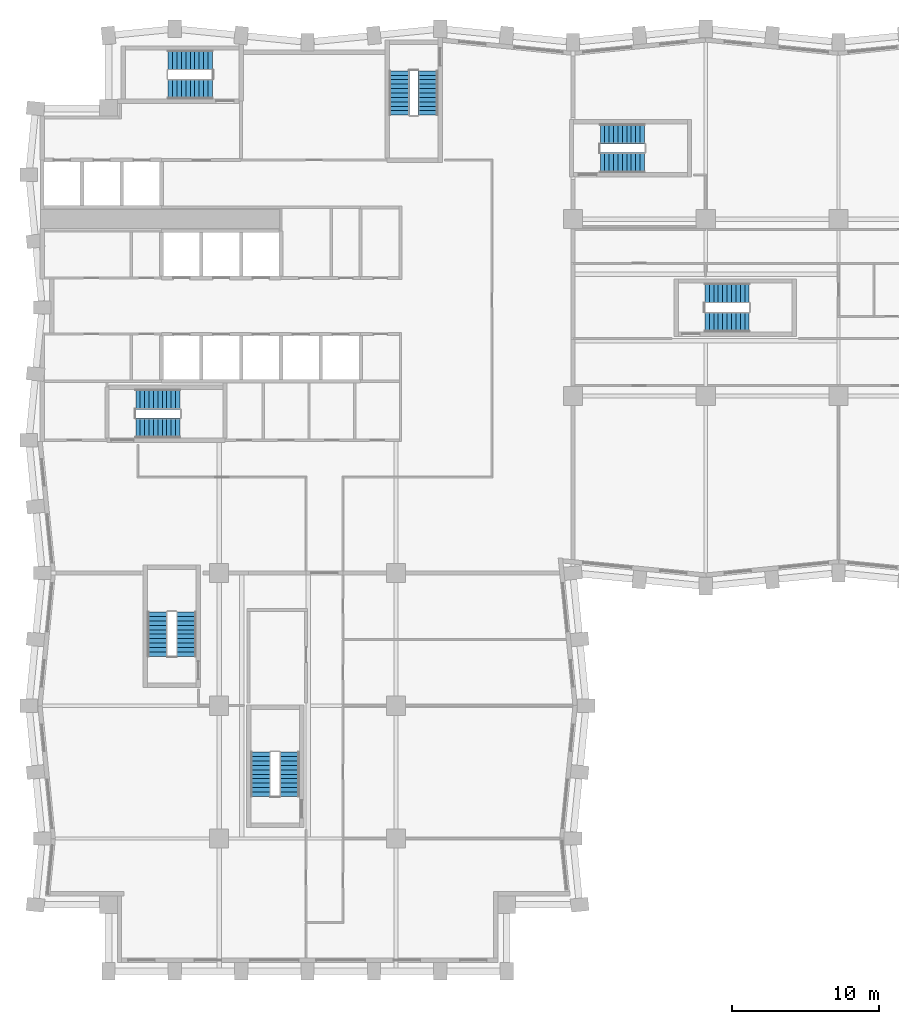
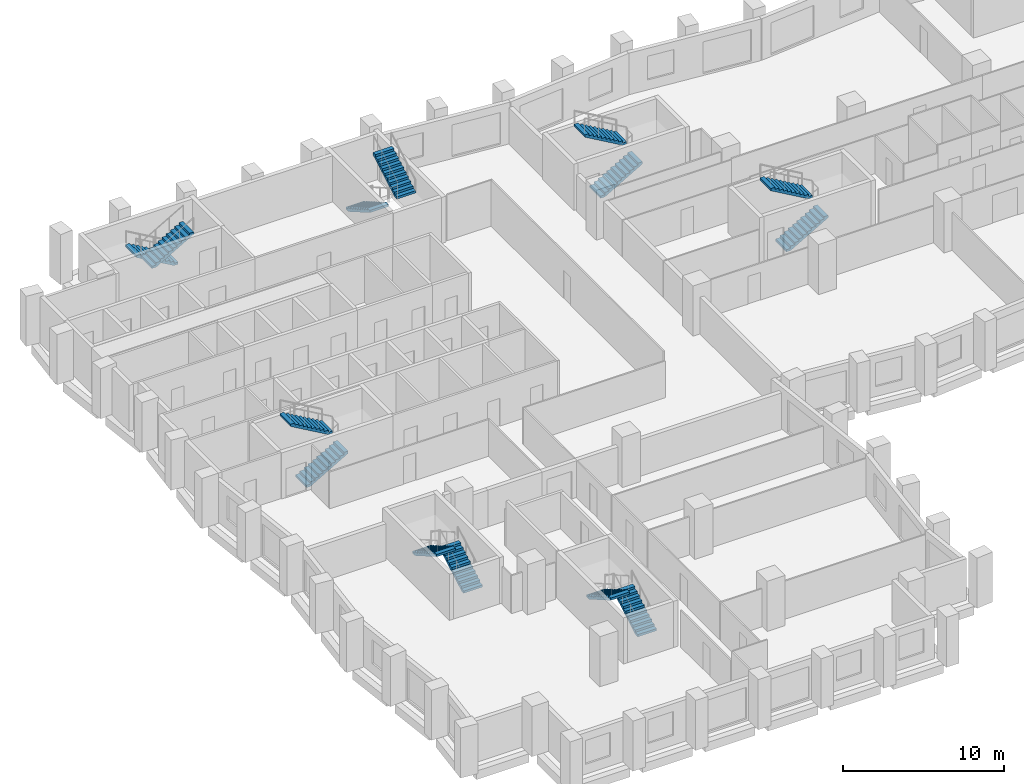
# One storey, part 9 of 11: 14 stair flights, 7 elements without a shape of their own.
"""IFC4 building model written with IfcOpenShell, lengths in metres."""

import ifcopenshell
import ifcopenshell.guid

model = None  # the IFC model being written
_history = None  # IfcOwnerHistory: only IFC2X3 demands one
_inside = {}  # id of a spatial element -> (the spatial element, [elements in it])
_under = {}  # id of a project, library or spatial element -> (it, [spatial elements below it])
_declared = {}  # id of a project -> (the project, [libraries it declares])
_typed = {}  # id of a type object -> (the type object, [elements of that type])
_made_of = {}  # id of a material, layer set ... -> (it, [elements and type objects made of it])


def new_model(schema):
    """Start an empty IFC model of exactly this schema.

    Asked for "IFC4X3", IfcOpenShell would pick the latest addendum, in which some entities
    have other attributes; the version numbers below select the first issue.
    IFC2X3 requires an IfcOwnerHistory on every rooted entity: one is made here for all.
    """
    global model, _history
    if schema == "IFC4X3":
        model = ifcopenshell.file(schema_version=(4, 3, 0, 0))
    else:
        model = ifcopenshell.file(schema=schema)
    _inside.clear()
    _under.clear()
    _declared.clear()
    _typed.clear()
    _made_of.clear()
    _history = None
    if model.schema == "IFC2X3":
        org = make("IfcOrganization", Name="unknown")
        user = make(
            "IfcPersonAndOrganization",
            ThePerson=make("IfcPerson", FamilyName="unknown"),
            TheOrganization=org,
        )
        app = make(
            "IfcApplication",
            ApplicationDeveloper=org,
            Version="unknown",
            ApplicationFullName="unknown",
            ApplicationIdentifier="unknown",
        )
        _history = make(
            "IfcOwnerHistory",
            OwningUser=user,
            OwningApplication=app,
            ChangeAction="ADDED",
            CreationDate=0,
        )
    return model


def make(cls, **values):
    """One entity of the class cls with the attributes given. An attribute that is None is left unset."""
    return model.create_entity(
        cls, **{name: value for name, value in values.items() if value is not None}
    )


def rooted(cls, **values):
    """An entity with a GlobalId (a new one), such as an element, a storey or a relation."""
    return make(cls, GlobalId=ifcopenshell.guid.new(), OwnerHistory=_history, **values)


def si_unit(unit_type, name, prefix=None):
    """IfcSIUnit, for example si_unit("LENGTHUNIT", "METRE", prefix="MILLI")."""
    return make("IfcSIUnit", UnitType=unit_type, Prefix=prefix, Name=name)


def assignment(units):
    """IfcUnitAssignment: the units of a project."""
    return None if units is None else make("IfcUnitAssignment", Units=units)


def point(xyz):
    """IfcCartesianPoint."""
    return None if xyz is None else make("IfcCartesianPoint", Coordinates=xyz)


def direction(xyz):
    """IfcDirection."""
    return None if xyz is None else make("IfcDirection", DirectionRatios=xyz)


def frame(location, z_axis=None, x_axis=None):
    """IfcAxis2Placement3D, a coordinate frame: its origin and axes. An axis left out is left unset."""
    return make(
        "IfcAxis2Placement3D",
        Location=point(location),
        Axis=direction(z_axis),
        RefDirection=direction(x_axis),
    )


def origin():
    """The frame at (0, 0, 0) with its axes left unset."""
    return frame((0.0, 0.0, 0.0))


def place(relative_to, where):
    """IfcLocalPlacement: puts the frame where relative to a parent placement (None: the world)."""
    return make(
        "IfcLocalPlacement", PlacementRelTo=relative_to, RelativePlacement=where
    )


def context(
    kind, dimensions, precision=None, world=None, true_north=None, identifier=None
):
    """IfcGeometricRepresentationContext, for example the 3D "Model" context."""
    return make(
        "IfcGeometricRepresentationContext",
        ContextIdentifier=identifier,
        ContextType=kind,
        CoordinateSpaceDimension=dimensions,
        Precision=precision,
        WorldCoordinateSystem=world,
        TrueNorth=true_north,
    )


def subcontext(parent, identifier, kind, view, scale=None):
    """IfcGeometricRepresentationSubContext, for example "Body" below "Model"."""
    return make(
        "IfcGeometricRepresentationSubContext",
        ContextIdentifier=identifier,
        ContextType=kind,
        ParentContext=parent,
        TargetScale=scale,
        TargetView=view,
    )


def project(units=None, contexts=None):
    """IfcProject with its units and contexts."""
    return rooted(
        "IfcProject",
        Name="project",
        RepresentationContexts=contexts,
        UnitsInContext=assignment(units),
    )


def spatial(cls, under=None, at=None, **own):
    """A site, building, storey or space (cls), placed at a placement, below another one or the project."""
    s = rooted(cls, ObjectPlacement=at, **own)
    if under is not None:
        _under.setdefault(under.id(), (under, []))[1].append(s)
    return s


def polyline(points):
    """IfcPolyline through the points."""
    return make("IfcPolyline", Points=[point(p) for p in points])


def outline(outer, holes=None, kind="AREA"):
    """IfcArbitraryClosedProfileDef: a profile drawn as a closed curve; with holes, ...WithVoids."""
    if holes is None:
        return make("IfcArbitraryClosedProfileDef", ProfileType=kind, OuterCurve=outer)
    return make(
        "IfcArbitraryProfileDefWithVoids",
        ProfileType=kind,
        OuterCurve=outer,
        InnerCurves=holes,
    )


def extrude(swept, where, along, depth):
    """IfcExtrudedAreaSolid: the profile swept, set in the frame where, extruded along a direction by depth."""
    return make(
        "IfcExtrudedAreaSolid",
        SweptArea=swept,
        Position=where,
        ExtrudedDirection=direction(along),
        Depth=depth,
    )


def shape(context_of_items, identifier, shape_type, items):
    """IfcShapeRepresentation: the items that make up one representation, for example the "Body"."""
    return make(
        "IfcShapeRepresentation",
        ContextOfItems=context_of_items,
        RepresentationIdentifier=identifier,
        RepresentationType=shape_type,
        Items=items,
    )


def material(Name=None, Category=None):
    """IfcMaterial."""
    return make("IfcMaterial", Name=Name, Category=Category)


def made_of(thing, what):
    """Note that an element or type object is made of a material, layer set ...; save() writes the relation."""
    if what is not None:
        _made_of.setdefault(what.id(), (what, []))[1].append(thing)
    return thing


def type_object(cls, material=None, **own):
    """A type object (cls), such as IfcWallType, which elements share."""
    return made_of(rooted(cls, **own), material)


def element(
    cls,
    number,
    at=None,
    inside=None,
    cuts=None,
    type_object=None,
    material=None,
    context=None,
    identifier="Body",
    shape_type=None,
    held_by="IfcProductDefinitionShape",
    body=None,
    shapes=None,
    **own,
):
    """One element of the class cls, such as IfcWall. Its Tag is "e" and its number.

    at: its placement. inside: the storey or other place that contains it. cuts: it is an
    opening in that element (IfcRelVoidsElement). A single representation is given by context,
    identifier, shape_type and body (its items); several are given by shapes. held_by: the class
    of the entity that holds the representations. save() writes the other relations.
    """
    e = rooted(cls, Tag="e%d" % number, ObjectPlacement=at, **own)
    if body is not None:
        shapes = [shape(context, identifier, shape_type, body)]
    if shapes is not None:
        e.Representation = make(held_by, Representations=shapes)
    if inside is not None:
        _inside.setdefault(inside.id(), (inside, []))[1].append(e)
    if cuts is not None:
        rooted(
            "IfcRelVoidsElement", RelatingBuildingElement=cuts, RelatedOpeningElement=e
        )
    if type_object is not None:
        _typed.setdefault(type_object.id(), (type_object, []))[1].append(e)
    return made_of(e, material)


def aggregate(whole, parts):
    """IfcRelAggregates: a whole, such as a stair, and the parts it consists of."""
    return rooted("IfcRelAggregates", RelatingObject=whole, RelatedObjects=parts)


def save(model, path):
    """Write the relations noted so far, then the file.

    IfcRelAggregates (storeys below a building ...), IfcRelContainedInSpatialStructure (elements
    in a storey), IfcRelDefinesByType, IfcRelAssociatesMaterial and IfcRelDeclares: one each for
    every whole, place, type object, material and project.
    """
    for whole, parts in _under.values():
        aggregate(whole, parts)
    for where, things in _inside.values():
        rooted(
            "IfcRelContainedInSpatialStructure",
            RelatedElements=things,
            RelatingStructure=where,
        )
    for kind, things in _typed.values():
        rooted("IfcRelDefinesByType", RelatedObjects=things, RelatingType=kind)
    for what, things in _made_of.values():
        rooted("IfcRelAssociatesMaterial", RelatedObjects=things, RelatingMaterial=what)
    for by, libraries in _declared.values():
        rooted("IfcRelDeclares", RelatingContext=by, RelatedDefinitions=libraries)
    model.write(path)


model = new_model("IFC4")

# Units and contexts
model_context = context("Model", 3, precision=1e-05, world=origin(), true_north=direction((0.0, 1.0)))
body_context = subcontext(model_context, "Body", "Model", "MODEL_VIEW")
ifc_project = project(units=[si_unit("LENGTHUNIT", "METRE"), si_unit("AREAUNIT", "SQUARE_METRE"), si_unit("VOLUMEUNIT", "CUBIC_METRE"), si_unit("PLANEANGLEUNIT", "RADIAN"), si_unit("MASSUNIT", "GRAM", prefix="KILO")], contexts=[model_context])

# Site, building, storey
site_placement = place(None, origin())
site = spatial("IfcSite", under=ifc_project, at=site_placement, CompositionType="ELEMENT")
building_placement = place(site_placement, origin())
building = spatial("IfcBuilding", under=site, at=building_placement, Name="Brondeck Convention Tower", CompositionType="ELEMENT")
storey_placement = place(building_placement, frame((0.0, 0.0, 99.89990234375)))
storey = spatial("IfcBuildingStorey", under=building, at=storey_placement, Name="L23", CompositionType="ELEMENT", Elevation=99.89990234375)

# Stair, stair flights
ifc_material = material(Name="Precast concrete C50/60", Category="concrete")
stair_type = type_object("IfcStairType", Name="Core stair 22 risers 172.73 mm riser 300 mm going 1350 wide", PredefinedType="HALF_TURN_STAIR", material=ifc_material)
stair_1_placement = place(storey_placement, origin())
stair_1 = element("IfcStair", 1, at=stair_1_placement, inside=storey, type_object=stair_type, Name="ST-1 L23 stair", PredefinedType="HALF_TURN_STAIR")
stair_flight_type = type_object("IfcStairFlightType", Name="Core stair flight 22 risers 172.73 mm riser 300 mm going 1350 wide", PredefinedType="STRAIGHT", material=ifc_material)
stair_flight_1_placement = place(storey_placement, frame((6.35009765625, 36.824951171875, 0.0), z_axis=(0.0, 0.0, 1.0), x_axis=(1.0, 0.0, 0.0)))
stair_flight_1 = element("IfcStairFlight", 2, at=stair_flight_1_placement, type_object=stair_flight_type, Name="ST-1 flight 1", NumberOfRisers=11, NumberOfTreads=10, PredefinedType="STRAIGHT", RiserHeight=0.172727273, TreadLength=0.3, context=body_context, shape_type="SweptSolid", body=[
    extrude(outline(polyline([(0.0, 0.0), (0.0, 0.172607421875), (0.300048828125, 0.172607421875), (0.300048828125, 0.345458984375), (0.60009765625, 0.345458984375), (0.60009765625, 0.51806640625), (0.89990234375, 0.51806640625), (0.89990234375, 0.69091796875), (1.199951171875, 0.69091796875), (1.199951171875, 0.863525390625), (1.5, 0.863525390625), (1.5, 1.036376953125), (1.800048828125, 1.036376953125), (1.800048828125, 1.208984375), (2.10009765625, 1.208984375), (2.10009765625, 1.3818359375), (2.39990234375, 1.3818359375), (2.39990234375, 1.554443359375), (2.699951171875, 1.554443359375), (2.699951171875, 1.727294921875), (3.0, 1.727294921875), (3.0, 1.89990234375), (3.0, 1.55419921875), (0.300537109375, 0.0), (0.0, 0.0)])), frame((0.0, 0.675048828125, 0.0), z_axis=(0.0, -1.0, 0.0), x_axis=(1.0, 0.0, 0.0)), (0.0, 0.0, 1.0), 1.35009765625),
])
stair_flight_2_placement = place(storey_placement, frame((9.35009765625, 38.77490234375, 1.900146484375), z_axis=(0.0, 0.0, 1.0), x_axis=(-1.0, 0.0, 0.0)))
stair_flight_2 = element("IfcStairFlight", 3, at=stair_flight_2_placement, type_object=stair_flight_type, Name="ST-1 flight 2", NumberOfRisers=11, NumberOfTreads=10, PredefinedType="STRAIGHT", RiserHeight=0.172727273, TreadLength=0.3, context=body_context, shape_type="SweptSolid", body=[
    extrude(outline(polyline([(0.0, 0.0), (0.0, 0.172607421875), (0.300048828125, 0.172607421875), (0.300048828125, 0.345458984375), (0.60009765625, 0.345458984375), (0.60009765625, 0.51806640625), (0.89990234375, 0.51806640625), (0.89990234375, 0.69091796875), (1.199951171875, 0.69091796875), (1.199951171875, 0.863525390625), (1.5, 0.863525390625), (1.5, 1.036376953125), (1.800048828125, 1.036376953125), (1.800048828125, 1.208984375), (2.10009765625, 1.208984375), (2.10009765625, 1.3818359375), (2.39990234375, 1.3818359375), (2.39990234375, 1.554443359375), (2.699951171875, 1.554443359375), (2.699951171875, 1.727294921875), (3.0, 1.727294921875), (3.0, 1.89990234375), (3.0, 1.55419921875), (0.300537109375, 0.0), (0.0, 0.0)])), frame((0.0, 0.675048828125, 0.0), z_axis=(0.0, -1.0, 0.0), x_axis=(1.0, 0.0, 0.0)), (0.0, 0.0, 1.0), 1.35009765625),
])
aggregate(stair_1, [stair_flight_1, stair_flight_2])

stair_2_placement = place(storey_placement, origin())
stair_2 = element("IfcStair", 4, at=stair_2_placement, inside=storey, type_object=stair_type, Name="ST-2 L23 stair", PredefinedType="HALF_TURN_STAIR")
stair_flight_3_placement = place(storey_placement, frame((24.22509765625, 61.050048828125, 0.0), z_axis=(0.0, 0.0, 1.0), x_axis=(0.0, -1.0, 0.0)))
stair_flight_3 = element("IfcStairFlight", 5, at=stair_flight_3_placement, type_object=stair_flight_type, Name="ST-2 flight 1", NumberOfRisers=11, NumberOfTreads=10, PredefinedType="STRAIGHT", RiserHeight=0.172727273, TreadLength=0.3, context=body_context, shape_type="SweptSolid", body=[
    extrude(outline(polyline([(0.0, 0.0), (0.0, 0.172607421875), (0.300048828125, 0.172607421875), (0.300048828125, 0.345458984375), (0.60009765625, 0.345458984375), (0.60009765625, 0.51806640625), (0.89990234375, 0.51806640625), (0.89990234375, 0.69091796875), (1.199951171875, 0.69091796875), (1.199951171875, 0.863525390625), (1.5, 0.863525390625), (1.5, 1.036376953125), (1.800048828125, 1.036376953125), (1.800048828125, 1.208984375), (2.10009765625, 1.208984375), (2.10009765625, 1.3818359375), (2.39990234375, 1.3818359375), (2.39990234375, 1.554443359375), (2.699951171875, 1.554443359375), (2.699951171875, 1.727294921875), (3.0, 1.727294921875), (3.0, 1.89990234375), (3.0, 1.55419921875), (0.300537109375, 0.0), (0.0, 0.0)])), frame((0.0, 0.675048828125, 0.0), z_axis=(0.0, -1.0, 0.0), x_axis=(1.0, 0.0, 0.0)), (0.0, 0.0, 1.0), 1.35009765625),
])
stair_flight_4_placement = place(storey_placement, frame((26.175048828125, 58.050048828125, 1.900146484375), z_axis=(0.0, 0.0, 1.0), x_axis=(0.0, 1.0, 0.0)))
stair_flight_4 = element("IfcStairFlight", 6, at=stair_flight_4_placement, type_object=stair_flight_type, Name="ST-2 flight 2", NumberOfRisers=11, NumberOfTreads=10, PredefinedType="STRAIGHT", RiserHeight=0.172727273, TreadLength=0.3, context=body_context, shape_type="SweptSolid", body=[
    extrude(outline(polyline([(0.0, 0.0), (0.0, 0.172607421875), (0.300048828125, 0.172607421875), (0.300048828125, 0.345458984375), (0.60009765625, 0.345458984375), (0.60009765625, 0.51806640625), (0.89990234375, 0.51806640625), (0.89990234375, 0.69091796875), (1.199951171875, 0.69091796875), (1.199951171875, 0.863525390625), (1.5, 0.863525390625), (1.5, 1.036376953125), (1.800048828125, 1.036376953125), (1.800048828125, 1.208984375), (2.10009765625, 1.208984375), (2.10009765625, 1.3818359375), (2.39990234375, 1.3818359375), (2.39990234375, 1.554443359375), (2.699951171875, 1.554443359375), (2.699951171875, 1.727294921875), (3.0, 1.727294921875), (3.0, 1.89990234375), (3.0, 1.55419921875), (0.300537109375, 0.0), (0.0, 0.0)])), frame((0.0, 0.675048828125, 0.0), z_axis=(0.0, -1.0, 0.0), x_axis=(1.0, 0.0, 0.0)), (0.0, 0.0, 1.0), 1.35009765625),
])
aggregate(stair_2, [stair_flight_3, stair_flight_4])

stair_3_placement = place(storey_placement, origin())
stair_3 = element("IfcStair", 7, at=stair_3_placement, inside=storey, type_object=stair_type, Name="ST-3 L23 stair", PredefinedType="HALF_TURN_STAIR")
stair_flight_5_placement = place(storey_placement, frame((11.550048828125, 61.77490234375, 0.0), z_axis=(0.0, 0.0, 1.0), x_axis=(-1.0, 0.0, 0.0)))
stair_flight_5 = element("IfcStairFlight", 8, at=stair_flight_5_placement, type_object=stair_flight_type, Name="ST-3 flight 1", NumberOfRisers=11, NumberOfTreads=10, PredefinedType="STRAIGHT", RiserHeight=0.172727273, TreadLength=0.3, context=body_context, shape_type="SweptSolid", body=[
    extrude(outline(polyline([(0.0, 0.0), (0.0, 0.172607421875), (0.300048828125, 0.172607421875), (0.300048828125, 0.345458984375), (0.60009765625, 0.345458984375), (0.60009765625, 0.51806640625), (0.89990234375, 0.51806640625), (0.89990234375, 0.69091796875), (1.199951171875, 0.69091796875), (1.199951171875, 0.863525390625), (1.5, 0.863525390625), (1.5, 1.036376953125), (1.800048828125, 1.036376953125), (1.800048828125, 1.208984375), (2.10009765625, 1.208984375), (2.10009765625, 1.3818359375), (2.39990234375, 1.3818359375), (2.39990234375, 1.554443359375), (2.699951171875, 1.554443359375), (2.699951171875, 1.727294921875), (3.0, 1.727294921875), (3.0, 1.89990234375), (3.0, 1.55419921875), (0.300537109375, 0.0), (0.0, 0.0)])), frame((0.0, 0.675048828125, 0.0), z_axis=(0.0, -1.0, 0.0), x_axis=(1.0, 0.0, 0.0)), (0.0, 0.0, 1.0), 1.35009765625),
])
stair_flight_6_placement = place(storey_placement, frame((8.550048828125, 59.824951171875, 1.900146484375), z_axis=(0.0, 0.0, 1.0), x_axis=(1.0, 0.0, 0.0)))
stair_flight_6 = element("IfcStairFlight", 9, at=stair_flight_6_placement, type_object=stair_flight_type, Name="ST-3 flight 2", NumberOfRisers=11, NumberOfTreads=10, PredefinedType="STRAIGHT", RiserHeight=0.172727273, TreadLength=0.3, context=body_context, shape_type="SweptSolid", body=[
    extrude(outline(polyline([(0.0, 0.0), (0.0, 0.172607421875), (0.300048828125, 0.172607421875), (0.300048828125, 0.345458984375), (0.60009765625, 0.345458984375), (0.60009765625, 0.51806640625), (0.89990234375, 0.51806640625), (0.89990234375, 0.69091796875), (1.199951171875, 0.69091796875), (1.199951171875, 0.863525390625), (1.5, 0.863525390625), (1.5, 1.036376953125), (1.800048828125, 1.036376953125), (1.800048828125, 1.208984375), (2.10009765625, 1.208984375), (2.10009765625, 1.3818359375), (2.39990234375, 1.3818359375), (2.39990234375, 1.554443359375), (2.699951171875, 1.554443359375), (2.699951171875, 1.727294921875), (3.0, 1.727294921875), (3.0, 1.89990234375), (3.0, 1.55419921875), (0.300537109375, 0.0), (0.0, 0.0)])), frame((0.0, 0.675048828125, 0.0), z_axis=(0.0, -1.0, 0.0), x_axis=(1.0, 0.0, 0.0)), (0.0, 0.0, 1.0), 1.35009765625),
])
aggregate(stair_3, [stair_flight_5, stair_flight_6])

stair_4_placement = place(storey_placement, origin())
stair_4 = element("IfcStair", 10, at=stair_4_placement, inside=storey, type_object=stair_type, Name="ST-AE L23 stair", PredefinedType="HALF_TURN_STAIR")
stair_flight_7_placement = place(storey_placement, frame((37.85009765625, 54.824951171875, 0.0), z_axis=(0.0, 0.0, 1.0), x_axis=(1.0, 0.0, 0.0)))
stair_flight_7 = element("IfcStairFlight", 11, at=stair_flight_7_placement, type_object=stair_flight_type, Name="ST-AE flight 1", NumberOfRisers=11, NumberOfTreads=10, PredefinedType="STRAIGHT", RiserHeight=0.172727273, TreadLength=0.3, context=body_context, shape_type="SweptSolid", body=[
    extrude(outline(polyline([(0.0, 0.0), (0.0, 0.172607421875), (0.300048828125, 0.172607421875), (0.300048828125, 0.345458984375), (0.60009765625, 0.345458984375), (0.60009765625, 0.51806640625), (0.89990234375, 0.51806640625), (0.89990234375, 0.69091796875), (1.199951171875, 0.69091796875), (1.199951171875, 0.863525390625), (1.5, 0.863525390625), (1.5, 1.036376953125), (1.800048828125, 1.036376953125), (1.800048828125, 1.208984375), (2.10009765625, 1.208984375), (2.10009765625, 1.3818359375), (2.39990234375, 1.3818359375), (2.39990234375, 1.554443359375), (2.699951171875, 1.554443359375), (2.699951171875, 1.727294921875), (3.0, 1.727294921875), (3.0, 1.89990234375), (3.0, 1.55419921875), (0.300537109375, 0.0), (0.0, 0.0)])), frame((0.0, 0.675048828125, 0.0), z_axis=(0.0, -1.0, 0.0), x_axis=(1.0, 0.0, 0.0)), (0.0, 0.0, 1.0), 1.35009765625),
])
stair_flight_8_placement = place(storey_placement, frame((40.85009765625, 56.77490234375, 1.900146484375), z_axis=(0.0, 0.0, 1.0), x_axis=(-1.0, 0.0, 0.0)))
stair_flight_8 = element("IfcStairFlight", 12, at=stair_flight_8_placement, type_object=stair_flight_type, Name="ST-AE flight 2", NumberOfRisers=11, NumberOfTreads=10, PredefinedType="STRAIGHT", RiserHeight=0.172727273, TreadLength=0.3, context=body_context, shape_type="SweptSolid", body=[
    extrude(outline(polyline([(0.0, 0.0), (0.0, 0.172607421875), (0.300048828125, 0.172607421875), (0.300048828125, 0.345458984375), (0.60009765625, 0.345458984375), (0.60009765625, 0.51806640625), (0.89990234375, 0.51806640625), (0.89990234375, 0.69091796875), (1.199951171875, 0.69091796875), (1.199951171875, 0.863525390625), (1.5, 0.863525390625), (1.5, 1.036376953125), (1.800048828125, 1.036376953125), (1.800048828125, 1.208984375), (2.10009765625, 1.208984375), (2.10009765625, 1.3818359375), (2.39990234375, 1.3818359375), (2.39990234375, 1.554443359375), (2.699951171875, 1.554443359375), (2.699951171875, 1.727294921875), (3.0, 1.727294921875), (3.0, 1.89990234375), (3.0, 1.55419921875), (0.300537109375, 0.0), (0.0, 0.0)])), frame((0.0, 0.675048828125, 0.0), z_axis=(0.0, -1.0, 0.0), x_axis=(1.0, 0.0, 0.0)), (0.0, 0.0, 1.0), 1.35009765625),
])
aggregate(stair_4, [stair_flight_7, stair_flight_8])

stair_5_placement = place(storey_placement, origin())
stair_5 = element("IfcStair", 13, at=stair_5_placement, inside=storey, type_object=stair_type, Name="ST-BE L23 stair", PredefinedType="HALF_TURN_STAIR")
stair_flight_9_placement = place(storey_placement, frame((9.77490234375, 21.35009765625, 0.0), z_axis=(0.0, 0.0, 1.0), x_axis=(0.0, 1.0, 0.0)))
stair_flight_9 = element("IfcStairFlight", 14, at=stair_flight_9_placement, type_object=stair_flight_type, Name="ST-BE flight 1", NumberOfRisers=11, NumberOfTreads=10, PredefinedType="STRAIGHT", RiserHeight=0.172727273, TreadLength=0.3, context=body_context, shape_type="SweptSolid", body=[
    extrude(outline(polyline([(0.0, 0.0), (0.0, 0.172607421875), (0.300048828125, 0.172607421875), (0.300048828125, 0.345458984375), (0.60009765625, 0.345458984375), (0.60009765625, 0.51806640625), (0.89990234375, 0.51806640625), (0.89990234375, 0.69091796875), (1.199951171875, 0.69091796875), (1.199951171875, 0.863525390625), (1.5, 0.863525390625), (1.5, 1.036376953125), (1.800048828125, 1.036376953125), (1.800048828125, 1.208984375), (2.10009765625, 1.208984375), (2.10009765625, 1.3818359375), (2.39990234375, 1.3818359375), (2.39990234375, 1.554443359375), (2.699951171875, 1.554443359375), (2.699951171875, 1.727294921875), (3.0, 1.727294921875), (3.0, 1.89990234375), (3.0, 1.55419921875), (0.300537109375, 0.0), (0.0, 0.0)])), frame((0.0, 0.675048828125, 0.0), z_axis=(0.0, -1.0, 0.0), x_axis=(1.0, 0.0, 0.0)), (0.0, 0.0, 1.0), 1.35009765625),
])
stair_flight_10_placement = place(storey_placement, frame((7.824951171875, 24.35009765625, 1.900146484375), z_axis=(0.0, 0.0, 1.0), x_axis=(0.0, -1.0, 0.0)))
stair_flight_10 = element("IfcStairFlight", 15, at=stair_flight_10_placement, type_object=stair_flight_type, Name="ST-BE flight 2", NumberOfRisers=11, NumberOfTreads=10, PredefinedType="STRAIGHT", RiserHeight=0.172727273, TreadLength=0.3, context=body_context, shape_type="SweptSolid", body=[
    extrude(outline(polyline([(0.0, 0.0), (0.0, 0.172607421875), (0.300048828125, 0.172607421875), (0.300048828125, 0.345458984375), (0.60009765625, 0.345458984375), (0.60009765625, 0.51806640625), (0.89990234375, 0.51806640625), (0.89990234375, 0.69091796875), (1.199951171875, 0.69091796875), (1.199951171875, 0.863525390625), (1.5, 0.863525390625), (1.5, 1.036376953125), (1.800048828125, 1.036376953125), (1.800048828125, 1.208984375), (2.10009765625, 1.208984375), (2.10009765625, 1.3818359375), (2.39990234375, 1.3818359375), (2.39990234375, 1.554443359375), (2.699951171875, 1.554443359375), (2.699951171875, 1.727294921875), (3.0, 1.727294921875), (3.0, 1.89990234375), (3.0, 1.55419921875), (0.300537109375, 0.0), (0.0, 0.0)])), frame((0.0, 0.675048828125, 0.0), z_axis=(0.0, -1.0, 0.0), x_axis=(1.0, 0.0, 0.0)), (0.0, 0.0, 1.0), 1.35009765625),
])
aggregate(stair_5, [stair_flight_9, stair_flight_10])

stair_6_placement = place(storey_placement, origin())
stair_6 = element("IfcStair", 16, at=stair_6_placement, inside=storey, type_object=stair_type, Name="ST-AF L23 stair", PredefinedType="HALF_TURN_STAIR")
stair_flight_11_placement = place(storey_placement, frame((44.949951171875, 44.02490234375, 0.0), z_axis=(0.0, 0.0, 1.0), x_axis=(1.0, 0.0, 0.0)))
stair_flight_11 = element("IfcStairFlight", 17, at=stair_flight_11_placement, type_object=stair_flight_type, Name="ST-AF flight 1", NumberOfRisers=11, NumberOfTreads=10, PredefinedType="STRAIGHT", RiserHeight=0.172727273, TreadLength=0.3, context=body_context, shape_type="SweptSolid", body=[
    extrude(outline(polyline([(0.0, 0.0), (0.0, 0.172607421875), (0.300048828125, 0.172607421875), (0.300048828125, 0.345458984375), (0.60009765625, 0.345458984375), (0.60009765625, 0.51806640625), (0.89990234375, 0.51806640625), (0.89990234375, 0.69091796875), (1.199951171875, 0.69091796875), (1.199951171875, 0.863525390625), (1.5, 0.863525390625), (1.5, 1.036376953125), (1.800048828125, 1.036376953125), (1.800048828125, 1.208984375), (2.10009765625, 1.208984375), (2.10009765625, 1.3818359375), (2.39990234375, 1.3818359375), (2.39990234375, 1.554443359375), (2.699951171875, 1.554443359375), (2.699951171875, 1.727294921875), (3.0, 1.727294921875), (3.0, 1.89990234375), (3.0, 1.55419921875), (0.300537109375, 0.0), (0.0, 0.0)])), frame((0.0, 0.675048828125, 0.0), z_axis=(0.0, -1.0, 0.0), x_axis=(1.0, 0.0, 0.0)), (0.0, 0.0, 1.0), 1.35009765625),
])
stair_flight_12_placement = place(storey_placement, frame((47.949951171875, 45.97509765625, 1.900146484375), z_axis=(0.0, 0.0, 1.0), x_axis=(-1.0, 0.0, 0.0)))
stair_flight_12 = element("IfcStairFlight", 18, at=stair_flight_12_placement, type_object=stair_flight_type, Name="ST-AF flight 2", NumberOfRisers=11, NumberOfTreads=10, PredefinedType="STRAIGHT", RiserHeight=0.172727273, TreadLength=0.3, context=body_context, shape_type="SweptSolid", body=[
    extrude(outline(polyline([(0.0, 0.0), (0.0, 0.172607421875), (0.300048828125, 0.172607421875), (0.300048828125, 0.345458984375), (0.60009765625, 0.345458984375), (0.60009765625, 0.51806640625), (0.89990234375, 0.51806640625), (0.89990234375, 0.69091796875), (1.199951171875, 0.69091796875), (1.199951171875, 0.863525390625), (1.5, 0.863525390625), (1.5, 1.036376953125), (1.800048828125, 1.036376953125), (1.800048828125, 1.208984375), (2.10009765625, 1.208984375), (2.10009765625, 1.3818359375), (2.39990234375, 1.3818359375), (2.39990234375, 1.554443359375), (2.699951171875, 1.554443359375), (2.699951171875, 1.727294921875), (3.0, 1.727294921875), (3.0, 1.89990234375), (3.0, 1.55419921875), (0.300537109375, 0.0), (0.0, 0.0)])), frame((0.0, 0.675048828125, 0.0), z_axis=(0.0, -1.0, 0.0), x_axis=(1.0, 0.0, 0.0)), (0.0, 0.0, 1.0), 1.35009765625),
])
aggregate(stair_6, [stair_flight_11, stair_flight_12])

stair_7_placement = place(storey_placement, origin())
stair_7 = element("IfcStair", 19, at=stair_7_placement, inside=storey, type_object=stair_type, Name="ST-BF L23 stair", PredefinedType="HALF_TURN_STAIR")
stair_flight_13_placement = place(storey_placement, frame((16.77490234375, 11.85009765625, 0.0), z_axis=(0.0, 0.0, 1.0), x_axis=(0.0, 1.0, 0.0)))
stair_flight_13 = element("IfcStairFlight", 20, at=stair_flight_13_placement, type_object=stair_flight_type, Name="ST-BF flight 1", NumberOfRisers=11, NumberOfTreads=10, PredefinedType="STRAIGHT", RiserHeight=0.172727273, TreadLength=0.3, context=body_context, shape_type="SweptSolid", body=[
    extrude(outline(polyline([(0.0, 0.0), (0.0, 0.172607421875), (0.300048828125, 0.172607421875), (0.300048828125, 0.345458984375), (0.60009765625, 0.345458984375), (0.60009765625, 0.51806640625), (0.89990234375, 0.51806640625), (0.89990234375, 0.69091796875), (1.199951171875, 0.69091796875), (1.199951171875, 0.863525390625), (1.5, 0.863525390625), (1.5, 1.036376953125), (1.800048828125, 1.036376953125), (1.800048828125, 1.208984375), (2.10009765625, 1.208984375), (2.10009765625, 1.3818359375), (2.39990234375, 1.3818359375), (2.39990234375, 1.554443359375), (2.699951171875, 1.554443359375), (2.699951171875, 1.727294921875), (3.0, 1.727294921875), (3.0, 1.89990234375), (3.0, 1.55419921875), (0.300537109375, 0.0), (0.0, 0.0)])), frame((0.0, 0.675048828125, 0.0), z_axis=(0.0, -1.0, 0.0), x_axis=(1.0, 0.0, 0.0)), (0.0, 0.0, 1.0), 1.35009765625),
])
stair_flight_14_placement = place(storey_placement, frame((14.824951171875, 14.85009765625, 1.900146484375), z_axis=(0.0, 0.0, 1.0), x_axis=(0.0, -1.0, 0.0)))
stair_flight_14 = element("IfcStairFlight", 21, at=stair_flight_14_placement, type_object=stair_flight_type, Name="ST-BF flight 2", NumberOfRisers=11, NumberOfTreads=10, PredefinedType="STRAIGHT", RiserHeight=0.172727273, TreadLength=0.3, context=body_context, shape_type="SweptSolid", body=[
    extrude(outline(polyline([(0.0, 0.0), (0.0, 0.172607421875), (0.300048828125, 0.172607421875), (0.300048828125, 0.345458984375), (0.60009765625, 0.345458984375), (0.60009765625, 0.51806640625), (0.89990234375, 0.51806640625), (0.89990234375, 0.69091796875), (1.199951171875, 0.69091796875), (1.199951171875, 0.863525390625), (1.5, 0.863525390625), (1.5, 1.036376953125), (1.800048828125, 1.036376953125), (1.800048828125, 1.208984375), (2.10009765625, 1.208984375), (2.10009765625, 1.3818359375), (2.39990234375, 1.3818359375), (2.39990234375, 1.554443359375), (2.699951171875, 1.554443359375), (2.699951171875, 1.727294921875), (3.0, 1.727294921875), (3.0, 1.89990234375), (3.0, 1.55419921875), (0.300537109375, 0.0), (0.0, 0.0)])), frame((0.0, 0.675048828125, 0.0), z_axis=(0.0, -1.0, 0.0), x_axis=(1.0, 0.0, 0.0)), (0.0, 0.0, 1.0), 1.35009765625),
])
aggregate(stair_7, [stair_flight_13, stair_flight_14])

save(model, "model.ifc")
